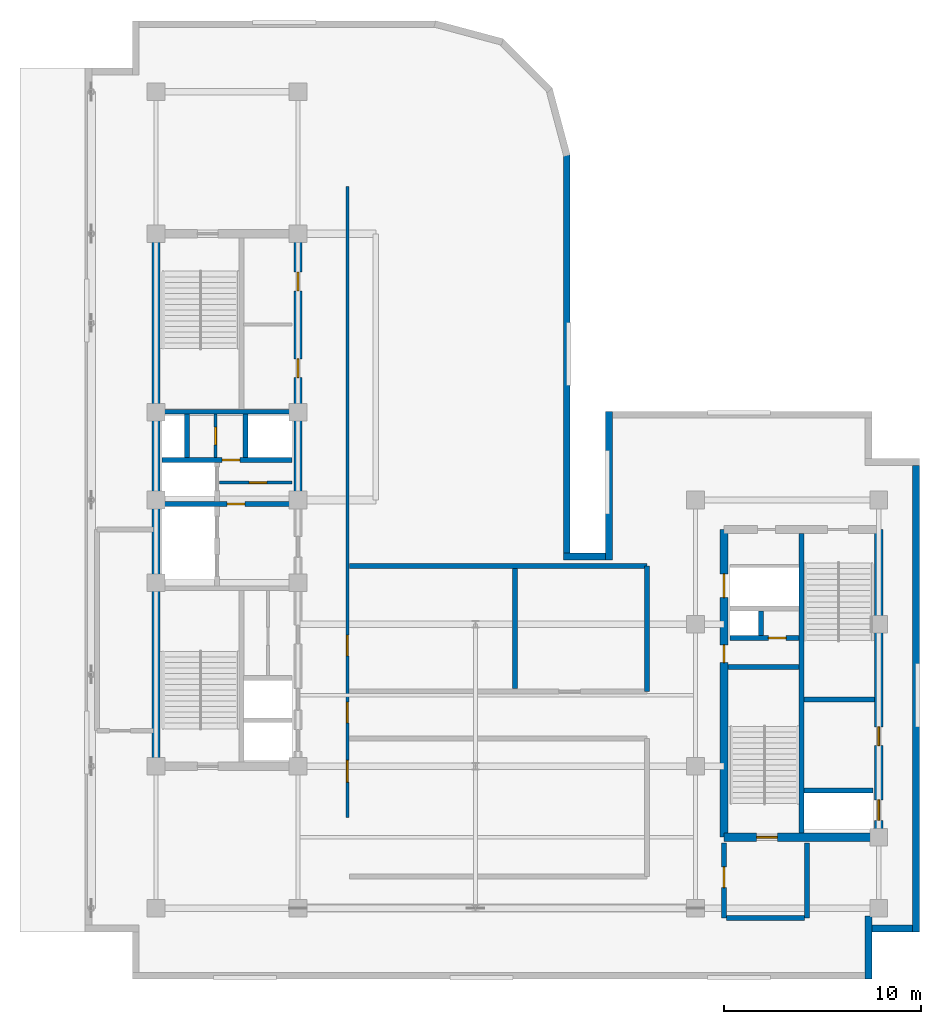
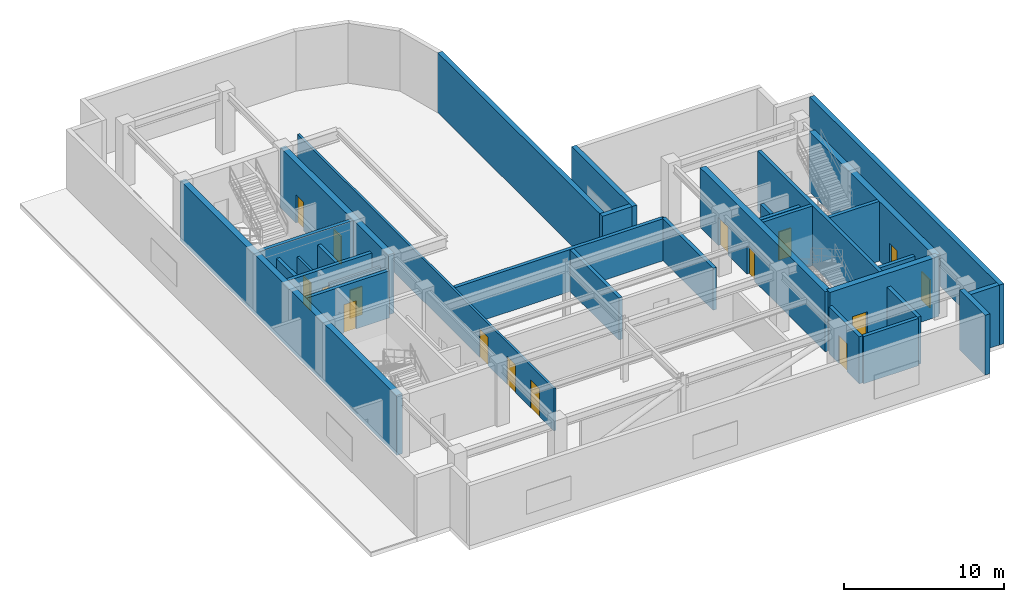
# One storey, part 7 of 13: 31 walls, 16 doors, 16 openings.
"""IFC4 building model written with IfcOpenShell, lengths in metres."""

from ifc_helpers import new_model, entity, si_unit, converted_unit, direction, frame, origin_with_axes, origin_2d_with_axis, place, context, subcontext, project, spatial, polyline, rectangle, outline, extrude, material, layer, layer_set, type_object, element, fill, save


model = new_model("IFC4")

# Units and contexts
model_context = context("Model", 3, precision=1e-05, world=origin_with_axes(), true_north=direction((0.0, 1.0)))
body_context = subcontext(model_context, "Body", "Model", "MODEL_VIEW")
ifc_project = project(units=[si_unit("LENGTHUNIT", "METRE"), si_unit("AREAUNIT", "SQUARE_METRE"), si_unit("VOLUMEUNIT", "CUBIC_METRE"), converted_unit("PLANEANGLEUNIT", "DEGREE", entity("IfcPlaneAngleMeasure", 0.017453292519943295), si_unit("PLANEANGLEUNIT", "RADIAN"), dimensions=[0, 0, 0, 0, 0, 0, 0]), si_unit("MASSUNIT", "GRAM", prefix="KILO"), si_unit("THERMODYNAMICTEMPERATUREUNIT", "KELVIN")], contexts=[model_context])

# Site, building, storey
site_placement = place(None, origin_with_axes())
site = spatial("IfcSite", under=ifc_project, at=site_placement, CompositionType="ELEMENT")
building_placement = place(site_placement, origin_with_axes())
building = spatial("IfcBuilding", under=site, at=building_placement, Name="Varnlund Millrace Tower", CompositionType="ELEMENT")
storey_placement = place(building_placement, frame((0.0, 0.0, 248.1), z_axis=(0.0, 0.0, 1.0), x_axis=(1.0, 0.0, 0.0)))
storey = spatial("IfcBuildingStorey", under=building, at=storey_placement, Name="L61", CompositionType="ELEMENT", Elevation=248.1)

# Wall
ifc_material_1 = material(Name="Concrete C60/75", Category="concrete")
ifc_layer_1 = layer(ifc_material_1, 0.42, Name="Concrete C60/75")
ifc_layer_set_1 = layer_set([ifc_layer_1], Name="Concrete C60/75")
wall_type_1 = type_object("IfcWallType", Name="Type-CoreWall-Shear-420-C60", PredefinedType="SHEAR", material=ifc_layer_set_1)
wall_1_placement = place(storey_placement, frame((11.4, 10.8, 0.0), z_axis=(0.0, 0.0, 1.0), x_axis=(0.0, 1.0, 0.0)))
element("IfcWall", 1, at=wall_1_placement, inside=storey, type_object=wall_type_1, Name="Type-CoreWall-Shear-420-C60", PredefinedType="SHEAR", context=body_context, shape_type="SweptSolid", body=[
    extrude(outline(polyline([(0.0, -0.21), (27.0, -0.21), (27.0, 0.21), (0.0, 0.21), (0.0, -0.21)])), origin_with_axes(), (0.0, 0.0, 1.0), 4.56),
])

# Wall, openings, doors
wall_2_placement = place(storey_placement, frame((18.6, 24.3, 0.0), z_axis=(0.0, 0.0, 1.0), x_axis=(0.0, 1.0, 0.0)))
wall_2 = element("IfcWall", 2, at=wall_2_placement, inside=storey, type_object=wall_type_1, Name="Type-CoreWall-Shear-420-C60", PredefinedType="SHEAR", context=body_context, shape_type="SweptSolid", body=[
    extrude(outline(polyline([(0.0, -0.21), (13.5, -0.21), (13.5, 0.21), (0.0, 0.21), (0.0, -0.21)])), origin_with_axes(), (0.0, 0.0, 1.0), 4.56),
])
opening_1_placement = place(wall_2_placement, frame((6.675, 0.0, 0.0), z_axis=(0.0, 0.0, 1.0), x_axis=(1.0, 0.0, 0.0)))
opening_1 = element("IfcOpeningElement", 3, at=opening_1_placement, cuts=wall_2, Name="Opening L61:DR-L61-PL1", PredefinedType="OPENING", context=body_context, shape_type="SweptSolid", body=[
    extrude(rectangle(XDim=0.95, YDim=0.44, at=origin_2d_with_axis()), origin_with_axes(), (0.0, 0.0, 1.0), 2.15),
])
opening_2_placement = place(wall_2_placement, frame((11.075, 0.0, 0.0), z_axis=(0.0, 0.0, 1.0), x_axis=(1.0, 0.0, 0.0)))
opening_2 = element("IfcOpeningElement", 4, at=opening_2_placement, cuts=wall_2, Name="Opening L61:DR-L61-PL2", PredefinedType="OPENING", context=body_context, shape_type="SweptSolid", body=[
    extrude(rectangle(XDim=0.95, YDim=0.44, at=origin_2d_with_axis()), origin_with_axes(), (0.0, 0.0, 1.0), 2.15),
])
ifc_material_2 = material(Name="Fire-rated hollow steel core service door", Category="steel")
door_type_1 = type_object("IfcDoorType", Name="Type-FireDoor-Service-950X2150", OperationType="NOTDEFINED", PredefinedType="DOOR", material=ifc_material_2)
door_1_placement = place(wall_2_placement, frame((6.675, 0.0, 0.0), z_axis=(0.0, 0.0, 1.0), x_axis=(1.0, 0.0, 0.0)))
door_1 = element("IfcDoor", 5, at=door_1_placement, inside=storey, type_object=door_type_1, Name="Type-FireDoor-Service-950X2150", OperationType="SINGLE_SWING_LEFT", OverallHeight=2.15, OverallWidth=0.95, PredefinedType="DOOR", context=body_context, shape_type="SweptSolid", body=[
    extrude(rectangle(XDim=0.95, YDim=0.09, at=origin_2d_with_axis()), origin_with_axes(), (0.0, 0.0, 1.0), 2.15),
])
fill(opening_1, door_1)
door_2_placement = place(wall_2_placement, frame((11.075, 0.0, 0.0), z_axis=(0.0, 0.0, 1.0), x_axis=(1.0, 0.0, 0.0)))
door_2 = element("IfcDoor", 6, at=door_2_placement, inside=storey, type_object=door_type_1, Name="Type-FireDoor-Service-950X2150", OperationType="SINGLE_SWING_RIGHT", OverallHeight=2.15, OverallWidth=0.95, PredefinedType="DOOR", context=body_context, shape_type="SweptSolid", body=[
    extrude(rectangle(XDim=0.95, YDim=0.09, at=origin_2d_with_axis()), origin_with_axes(), (0.0, 0.0, 1.0), 2.15),
])
fill(opening_2, door_2)

wall_3_placement = place(storey_placement, frame((40.2, 7.2, 0.0), z_axis=(0.0, 0.0, 1.0), x_axis=(0.0, 1.0, 0.0)))
wall_3 = element("IfcWall", 7, at=wall_3_placement, inside=storey, type_object=wall_type_1, Name="Type-CoreWall-Shear-420-C60", PredefinedType="SHEAR", context=body_context, shape_type="SweptSolid", body=[
    extrude(outline(polyline([(0.0, -0.21), (15.6, -0.21), (15.6, 0.21), (0.0, 0.21), (0.0, -0.21)])), origin_with_axes(), (0.0, 0.0, 1.0), 4.56),
])
opening_3_placement = place(wall_3_placement, frame((12.75, 0.0, 0.0), z_axis=(0.0, 0.0, 1.0), x_axis=(1.0, 0.0, 0.0)))
opening_3 = element("IfcOpeningElement", 8, at=opening_3_placement, cuts=wall_3, Name="Opening L61:LD-SRV2", PredefinedType="OPENING", context=body_context, shape_type="SweptSolid", body=[
    extrude(rectangle(XDim=1.2, YDim=0.44, at=origin_2d_with_axis()), origin_with_axes(), (0.0, 0.0, 1.0), 2.15),
])
opening_4_placement = place(wall_3_placement, frame((9.3, 0.0, 0.0), z_axis=(0.0, 0.0, 1.0), x_axis=(1.0, 0.0, 0.0)))
opening_4 = element("IfcOpeningElement", 9, at=opening_4_placement, cuts=wall_3, Name="Opening L61:DR-CB-JAN", PredefinedType="OPENING", context=body_context, shape_type="SweptSolid", body=[
    extrude(rectangle(XDim=0.9, YDim=0.44, at=origin_2d_with_axis()), origin_with_axes(), (0.0, 0.0, 1.0), 2.15),
])
ifc_material_3 = material(Name="Fire-rated hollow steel service closet door", Category="steel")
door_type_2 = type_object("IfcDoorType", Name="Type-FireDoor-Closet-900X2150", OperationType="NOTDEFINED", PredefinedType="DOOR", material=ifc_material_3)
door_3_placement = place(wall_3_placement, frame((9.3, 0.0, 0.0), z_axis=(0.0, 0.0, 1.0), x_axis=(1.0, 0.0, 0.0)))
door_3 = element("IfcDoor", 10, at=door_3_placement, inside=storey, type_object=door_type_2, Name="Type-FireDoor-Closet-900X2150", OperationType="SINGLE_SWING_RIGHT", OverallHeight=2.15, OverallWidth=0.9, PredefinedType="DOOR", context=body_context, shape_type="SweptSolid", body=[
    extrude(rectangle(XDim=0.9, YDim=0.09, at=origin_2d_with_axis()), origin_with_axes(), (0.0, 0.0, 1.0), 2.15),
])
fill(opening_4, door_3)
ifc_material_4 = material(Name="Heavy-duty freight sliding landing door")
door_type_3 = type_object("IfcDoorType", Name="Type-LiftLandingDoor-Service-1200X2150", OperationType="NOTDEFINED", PredefinedType="DOOR", material=ifc_material_4)
door_4_placement = place(wall_3_placement, frame((12.75, 0.0, 0.0), z_axis=(0.0, 0.0, 1.0), x_axis=(1.0, 0.0, 0.0)))
door_4 = element("IfcDoor", 11, at=door_4_placement, inside=storey, type_object=door_type_3, Name="Type-LiftLandingDoor-Service-1200X2150", OperationType="DOUBLE_DOOR_SLIDING", OverallHeight=2.15, OverallWidth=1.2, PredefinedType="DOOR", context=body_context, shape_type="SweptSolid", body=[
    extrude(rectangle(XDim=1.2, YDim=0.09, at=origin_2d_with_axis()), origin_with_axes(), (0.0, 0.0, 1.0), 2.15),
])
fill(opening_3, door_4)

# Wall, opening, door
wall_4_placement = place(storey_placement, frame((40.2, 7.2, 0.0), z_axis=(0.0, 0.0, 1.0), x_axis=(1.0, 0.0, 0.0)))
wall_4 = element("IfcWall", 12, at=wall_4_placement, inside=storey, type_object=wall_type_1, Name="Type-CoreWall-Shear-420-C60", PredefinedType="SHEAR", context=body_context, shape_type="SweptSolid", body=[
    extrude(outline(polyline([(0.0, -0.21), (7.85, -0.21), (7.85, 0.21), (0.0, 0.21), (0.0, -0.21)])), origin_with_axes(), (0.0, 0.0, 1.0), 4.56),
])
opening_5_placement = place(wall_4_placement, frame((2.175, 0.0, 0.0), z_axis=(0.0, 0.0, 1.0), x_axis=(1.0, 0.0, 0.0)))
opening_5 = element("IfcOpeningElement", 13, at=opening_5_placement, cuts=wall_4, Name="Opening L61:DR-STB1", PredefinedType="OPENING", context=body_context, shape_type="SweptSolid", body=[
    extrude(rectangle(XDim=1.05, YDim=0.44, at=origin_2d_with_axis()), origin_with_axes(), (0.0, 0.0, 1.0), 2.15),
])
ifc_material_5 = material(Name="Fire-rated hollow steel door", Category="steel")
door_type_4 = type_object("IfcDoorType", Name="Type-FireDoor-Stair-1050X2150", OperationType="NOTDEFINED", PredefinedType="DOOR", material=ifc_material_5)
door_5_placement = place(wall_4_placement, frame((2.175, 0.0, 0.0), z_axis=(0.0, 0.0, 1.0), x_axis=(1.0, 0.0, 0.0)))
door_5 = element("IfcDoor", 14, at=door_5_placement, inside=storey, type_object=door_type_4, Name="Type-FireDoor-Stair-1050X2150", OperationType="SINGLE_SWING_LEFT", OverallHeight=2.15, OverallWidth=1.05, PredefinedType="DOOR", context=body_context, shape_type="SweptSolid", body=[
    extrude(rectangle(XDim=1.05, YDim=0.09, at=origin_2d_with_axis()), origin_with_axes(), (0.0, 0.0, 1.0), 2.15),
])
fill(opening_5, door_5)

# Wall, openings, doors
wall_5_placement = place(storey_placement, frame((48.05, 7.2, 0.0), z_axis=(0.0, 0.0, 1.0), x_axis=(0.0, 1.0, 0.0)))
wall_5 = element("IfcWall", 15, at=wall_5_placement, inside=storey, type_object=wall_type_1, Name="Type-CoreWall-Shear-420-C60", PredefinedType="SHEAR", context=body_context, shape_type="SweptSolid", body=[
    extrude(outline(polyline([(0.0, -0.21), (15.6, -0.21), (15.6, 0.21), (0.0, 0.21), (0.0, -0.21)])), origin_with_axes(), (0.0, 0.0, 1.0), 4.56),
])
opening_6_placement = place(wall_5_placement, frame((1.375, 0.0, 0.0), z_axis=(0.0, 0.0, 1.0), x_axis=(1.0, 0.0, 0.0)))
opening_6 = element("IfcOpeningElement", 16, at=opening_6_placement, cuts=wall_5, Name="Opening L61:LD-ELV-H3", PredefinedType="OPENING", context=body_context, shape_type="SweptSolid", body=[
    extrude(rectangle(XDim=1.05, YDim=0.44, at=origin_2d_with_axis()), origin_with_axes(), (0.0, 0.0, 1.0), 2.15),
])
opening_7_placement = place(wall_5_placement, frame((5.125, 0.0, 0.0), z_axis=(0.0, 0.0, 1.0), x_axis=(1.0, 0.0, 0.0)))
opening_7 = element("IfcOpeningElement", 17, at=opening_7_placement, cuts=wall_5, Name="Opening L61:DR-CB-WC", PredefinedType="OPENING", context=body_context, shape_type="SweptSolid", body=[
    extrude(rectangle(XDim=0.95, YDim=0.44, at=origin_2d_with_axis()), origin_with_axes(), (0.0, 0.0, 1.0), 2.15),
])
door_6_placement = place(wall_5_placement, frame((5.125, 0.0, 0.0), z_axis=(0.0, 0.0, 1.0), x_axis=(1.0, 0.0, 0.0)))
door_6 = element("IfcDoor", 18, at=door_6_placement, inside=storey, type_object=door_type_1, Name="Type-FireDoor-Service-950X2150", OperationType="SINGLE_SWING_LEFT", OverallHeight=2.15, OverallWidth=0.95, PredefinedType="DOOR", context=body_context, shape_type="SweptSolid", body=[
    extrude(rectangle(XDim=0.95, YDim=0.09, at=origin_2d_with_axis()), origin_with_axes(), (0.0, 0.0, 1.0), 2.15),
])
fill(opening_7, door_6)
ifc_material_6 = material(Name="Architectural bronze sliding landing door")
door_type_5 = type_object("IfcDoorType", Name="Type-LiftLandingDoor-Compact-1050X2150", OperationType="NOTDEFINED", PredefinedType="DOOR", material=ifc_material_6)
door_7_placement = place(wall_5_placement, frame((1.375, 0.0, 0.0), z_axis=(0.0, 0.0, 1.0), x_axis=(1.0, 0.0, 0.0)))
door_7 = element("IfcDoor", 19, at=door_7_placement, inside=storey, type_object=door_type_5, Name="Type-LiftLandingDoor-Compact-1050X2150", OperationType="SLIDING_TO_LEFT", OverallHeight=2.15, OverallWidth=1.05, PredefinedType="DOOR", context=body_context, shape_type="SweptSolid", body=[
    extrude(rectangle(XDim=1.05, YDim=0.09, at=origin_2d_with_axis()), origin_with_axes(), (0.0, 0.0, 1.0), 2.15),
])
fill(opening_6, door_7)

# Walls
ifc_material_7 = material(Name="Precast concrete C50/60", Category="concrete")
ifc_layer_2 = layer(ifc_material_7, 0.34, Name="Precast concrete C50/60")
ifc_layer_set_2 = layer_set([ifc_layer_2], Name="Precast concrete C50/60")
wall_type_2 = type_object("IfcWallType", Name="Type-ExtWall-Precast-Upper-340", PredefinedType="SOLIDWALL", material=ifc_layer_set_2)
wall_6_placement = place(storey_placement, frame((34.37, 21.26, 0.0), z_axis=(0.0, 0.0, 1.0), x_axis=(0.0, 1.0, 0.0)))
element("IfcWall", 20, at=wall_6_placement, inside=storey, type_object=wall_type_2, Name="Type-ExtWall-Precast-Upper-340", PredefinedType="SOLIDWALL", context=body_context, shape_type="SweptSolid", body=[
    extrude(outline(polyline([(0.0, -0.17), (7.54, -0.17), (7.54, 0.17), (0.0, 0.17), (0.0, -0.17)])), origin_with_axes(), (0.0, 0.0, 1.0), 4.56),
])
wall_7_placement = place(storey_placement, frame((49.93, 26.06, 0.0), z_axis=(0.0, 0.0, 1.0), x_axis=(0.0, -1.0, 0.0)))
element("IfcWall", 21, at=wall_7_placement, inside=storey, type_object=wall_type_2, Name="Type-ExtWall-Precast-Upper-340", PredefinedType="SOLIDWALL", context=body_context, shape_type="SweptSolid", body=[
    extrude(outline(polyline([(0.0, -0.17), (23.66, -0.17), (23.66, 0.17), (0.0, 0.17), (0.0, -0.17)])), origin_with_axes(), (0.0, 0.0, 1.0), 4.56),
])
wall_8_placement = place(storey_placement, frame((49.76, 2.57, 0.0), z_axis=(0.0, 0.0, 1.0), x_axis=(-1.0, 0.0, 0.0)))
element("IfcWall", 22, at=wall_8_placement, inside=storey, type_object=wall_type_2, Name="Type-ExtWall-Precast-Upper-340", PredefinedType="SOLIDWALL", context=body_context, shape_type="SweptSolid", body=[
    extrude(outline(polyline([(0.0, -0.17), (2.06, -0.17), (2.06, 0.17), (0.0, 0.17), (0.0, -0.17)])), origin_with_axes(), (0.0, 0.0, 1.0), 4.56),
])
wall_9_placement = place(storey_placement, frame((47.53, 3.2, 0.0), z_axis=(0.0, 0.0, 1.0), x_axis=(0.0, -1.0, 0.0)))
element("IfcWall", 23, at=wall_9_placement, inside=storey, type_object=wall_type_2, Name="Type-ExtWall-Precast-Upper-340", PredefinedType="SOLIDWALL", context=body_context, shape_type="SweptSolid", body=[
    extrude(outline(polyline([(0.0, -0.17), (3.2, -0.17), (3.2, 0.17), (0.0, 0.17), (0.0, -0.17)])), origin_with_axes(), (0.0, 0.0, 1.0), 4.56),
])
wall_10_placement = place(storey_placement, frame((32.23, 41.82, 0.0), z_axis=(0.0, 0.0, 1.0), x_axis=(0.0, -1.0, 0.0)))
element("IfcWall", 24, at=wall_10_placement, inside=storey, type_object=wall_type_2, Name="Type-ExtWall-Precast-Upper-340", PredefinedType="SOLIDWALL", context=body_context, shape_type="SweptSolid", body=[
    extrude(outline(polyline([(0.0, -0.17), (20.22, -0.17), (20.22, 0.17), (0.0, 0.17), (0.0, -0.17)])), origin_with_axes(), (0.0, 0.0, 1.0), 4.56),
])
wall_11_placement = place(storey_placement, frame((32.06, 21.43, 0.0), z_axis=(0.0, 0.0, 1.0), x_axis=(1.0, 0.0, 0.0)))
element("IfcWall", 25, at=wall_11_placement, inside=storey, type_object=wall_type_2, Name="Type-ExtWall-Precast-Upper-340", PredefinedType="SOLIDWALL", context=body_context, shape_type="SweptSolid", body=[
    extrude(outline(polyline([(0.0, -0.17), (2.14, -0.17), (2.14, 0.17), (0.0, 0.17), (0.0, -0.17)])), origin_with_axes(), (0.0, 0.0, 1.0), 4.56),
])

# Wall, opening, door
ifc_material_8 = material(Name="Fire-rated gypsum board on cold-formed steel framing", Category="steel")
ifc_layer_3 = layer(ifc_material_8, 0.16, Name="Fire-rated gypsum board on cold-formed steel framing")
ifc_layer_set_3 = layer_set([ifc_layer_3], Name="Fire-rated gypsum board on cold-formed steel framing")
wall_type_3 = type_object("IfcWallType", Name="Type-Partition-Corridor-160", PredefinedType="PARTITIONING", material=ifc_layer_set_3)
wall_12_placement = place(storey_placement, frame((14.62, 25.18, 0.0), z_axis=(0.0, 0.0, 1.0), x_axis=(1.0, 0.0, 0.0)))
wall_12 = element("IfcWall", 26, at=wall_12_placement, inside=storey, type_object=wall_type_3, Name="Type-Partition-Corridor-160", PredefinedType="PARTITIONING", context=body_context, shape_type="SweptSolid", body=[
    extrude(outline(polyline([(0.0, -0.08), (3.68, -0.08), (3.68, 0.08), (0.0, 0.08), (0.0, -0.08)])), origin_with_axes(), (0.0, 0.0, 1.0), 3.2),
])
opening_8_placement = place(wall_12_placement, frame((1.95, 0.0, 0.0), z_axis=(0.0, 0.0, 1.0), x_axis=(1.0, 0.0, 0.0)))
opening_8 = element("IfcOpeningElement", 27, at=opening_8_placement, cuts=wall_12, Name="Opening L61:DR-CA-SUB2", PredefinedType="OPENING", context=body_context, shape_type="SweptSolid", body=[
    extrude(rectangle(XDim=0.9, YDim=0.18, at=origin_2d_with_axis()), origin_with_axes(), (0.0, 0.0, 1.0), 2.15),
])
ifc_material_9 = material(Name="Painted steel riser and closet door", Category="steel")
door_type_6 = type_object("IfcDoorType", Name="Type-IntDoor-Closet-900X2150", OperationType="NOTDEFINED", PredefinedType="DOOR", material=ifc_material_9)
door_8_placement = place(wall_12_placement, frame((1.95, 0.0, 0.0), z_axis=(0.0, 0.0, 1.0), x_axis=(1.0, 0.0, 0.0)))
door_8 = element("IfcDoor", 28, at=door_8_placement, inside=storey, type_object=door_type_6, Name="Type-IntDoor-Closet-900X2150", OperationType="SINGLE_SWING_LEFT", OverallHeight=2.15, OverallWidth=0.9, PredefinedType="DOOR", context=body_context, shape_type="SweptSolid", body=[
    extrude(rectangle(XDim=0.9, YDim=0.09, at=origin_2d_with_axis()), origin_with_axes(), (0.0, 0.0, 1.0), 2.15),
])
fill(opening_8, door_8)

wall_13_placement = place(storey_placement, frame((14.42, 26.45, 0.0), z_axis=(0.0, 0.0, 1.0), x_axis=(0.0, 1.0, 0.0)))
wall_13 = element("IfcWall", 29, at=wall_13_placement, inside=storey, type_object=wall_type_3, Name="Type-Partition-Corridor-160", PredefinedType="PARTITIONING", context=body_context, shape_type="SweptSolid", body=[
    extrude(outline(polyline([(0.0, -0.08), (2.2, -0.08), (2.2, 0.08), (0.0, 0.08), (0.0, -0.08)])), origin_with_axes(), (0.0, 0.0, 1.0), 3.2),
])
opening_9_placement = place(wall_13_placement, frame((1.1, 0.0, 0.0), z_axis=(0.0, 0.0, 1.0), x_axis=(1.0, 0.0, 0.0)))
opening_9 = element("IfcOpeningElement", 30, at=opening_9_placement, cuts=wall_13, Name="Opening L61:DR-CA-EL2", PredefinedType="OPENING", context=body_context, shape_type="SweptSolid", body=[
    extrude(rectangle(XDim=0.9, YDim=0.18, at=origin_2d_with_axis()), origin_with_axes(), (0.0, 0.0, 1.0), 2.15),
])
door_9_placement = place(wall_13_placement, frame((1.1, 0.0, 0.0), z_axis=(0.0, 0.0, 1.0), x_axis=(1.0, 0.0, 0.0)))
door_9 = element("IfcDoor", 31, at=door_9_placement, inside=storey, type_object=door_type_6, Name="Type-IntDoor-Closet-900X2150", OperationType="SINGLE_SWING_LEFT", OverallHeight=2.15, OverallWidth=0.9, PredefinedType="DOOR", context=body_context, shape_type="SweptSolid", body=[
    extrude(rectangle(XDim=0.9, YDim=0.09, at=origin_2d_with_axis()), origin_with_axes(), (0.0, 0.0, 1.0), 2.15),
])
fill(opening_9, door_9)

# Wall, openings, doors
wall_14_placement = place(storey_placement, frame((21.1, 8.2, 0.0), z_axis=(0.0, 0.0, 1.0), x_axis=(0.0, 1.0, 0.0)))
wall_14 = element("IfcWall", 32, at=wall_14_placement, inside=storey, type_object=wall_type_3, Name="Type-Partition-Corridor-160", PredefinedType="PARTITIONING", context=body_context, shape_type="SweptSolid", body=[
    extrude(outline(polyline([(0.0, -0.08), (32.0, -0.08), (32.0, 0.08), (0.0, 0.08), (0.0, -0.08)])), origin_with_axes(), (0.0, 0.0, 1.0), 3.2),
])
opening_10_placement = place(wall_14_placement, frame((8.725, 0.0, 0.0), z_axis=(0.0, 0.0, 1.0), x_axis=(1.0, 0.0, 0.0)))
opening_10 = element("IfcOpeningElement", 33, at=opening_10_placement, cuts=wall_14, Name="Opening L61:DR-REF-N", PredefinedType="OPENING", context=body_context, shape_type="SweptSolid", body=[
    extrude(rectangle(XDim=1.05, YDim=0.18, at=origin_2d_with_axis()), origin_with_axes(), (0.0, 0.0, 1.0), 2.15),
])
opening_11_placement = place(wall_14_placement, frame((5.325, 0.0, 0.0), z_axis=(0.0, 0.0, 1.0), x_axis=(1.0, 0.0, 0.0)))
opening_11 = element("IfcOpeningElement", 34, at=opening_11_placement, cuts=wall_14, Name="Opening L61:DR-PLT-XOVR", PredefinedType="OPENING", context=body_context, shape_type="SweptSolid", body=[
    extrude(rectangle(XDim=1.05, YDim=0.18, at=origin_2d_with_axis()), origin_with_axes(), (0.0, 0.0, 1.0), 2.15),
])
opening_12_placement = place(wall_14_placement, frame((2.35, 0.0, 0.0), z_axis=(0.0, 0.0, 1.0), x_axis=(1.0, 0.0, 0.0)))
opening_12 = element("IfcOpeningElement", 35, at=opening_12_placement, cuts=wall_14, Name="Opening L61:DR-PLT-HEX", PredefinedType="OPENING", context=body_context, shape_type="SweptSolid", body=[
    extrude(rectangle(XDim=1.1, YDim=0.18, at=origin_2d_with_axis()), origin_with_axes(), (0.0, 0.0, 1.0), 2.15),
])
ifc_material_10 = material(Name="Smoke-barrier hollow steel fire door", Category="steel")
door_type_7 = type_object("IfcDoorType", Name="Type-FireDoor-Lobby-1050X2150", OperationType="NOTDEFINED", PredefinedType="DOOR", material=ifc_material_10)
door_10_placement = place(wall_14_placement, frame((8.725, 0.0, 0.0), z_axis=(0.0, 0.0, 1.0), x_axis=(1.0, 0.0, 0.0)))
door_10 = element("IfcDoor", 36, at=door_10_placement, inside=storey, type_object=door_type_7, Name="Type-FireDoor-Lobby-1050X2150", OperationType="SINGLE_SWING_LEFT", OverallHeight=2.15, OverallWidth=1.05, PredefinedType="DOOR", context=body_context, shape_type="SweptSolid", body=[
    extrude(rectangle(XDim=1.05, YDim=0.09, at=origin_2d_with_axis()), origin_with_axes(), (0.0, 0.0, 1.0), 2.15),
])
fill(opening_10, door_10)
door_11_placement = place(wall_14_placement, frame((5.325, 0.0, 0.0), z_axis=(0.0, 0.0, 1.0), x_axis=(1.0, 0.0, 0.0)))
door_11 = element("IfcDoor", 37, at=door_11_placement, inside=storey, type_object=door_type_7, Name="Type-FireDoor-Lobby-1050X2150", OperationType="SINGLE_SWING_LEFT", OverallHeight=2.15, OverallWidth=1.05, PredefinedType="DOOR", context=body_context, shape_type="SweptSolid", body=[
    extrude(rectangle(XDim=1.05, YDim=0.09, at=origin_2d_with_axis()), origin_with_axes(), (0.0, 0.0, 1.0), 2.15),
])
fill(opening_11, door_11)
ifc_material_11 = material(Name="Fire-rated mechanical room steel door", Category="steel")
door_type_8 = type_object("IfcDoorType", Name="Type-FireDoor-Plant-1100X2150", OperationType="NOTDEFINED", PredefinedType="DOOR", material=ifc_material_11)
door_12_placement = place(wall_14_placement, frame((2.35, 0.0, 0.0), z_axis=(0.0, 0.0, 1.0), x_axis=(1.0, 0.0, 0.0)))
door_12 = element("IfcDoor", 38, at=door_12_placement, inside=storey, type_object=door_type_8, Name="Type-FireDoor-Plant-1100X2150", OperationType="SINGLE_SWING_RIGHT", OverallHeight=2.15, OverallWidth=1.1, PredefinedType="DOOR", context=body_context, shape_type="SweptSolid", body=[
    extrude(rectangle(XDim=1.1, YDim=0.09, at=origin_2d_with_axis()), origin_with_axes(), (0.0, 0.0, 1.0), 2.15),
])
fill(opening_12, door_12)

# Wall, opening, door
ifc_layer_4 = layer(ifc_material_1, 0.25, Name="Concrete C60/75")
ifc_layer_set_4 = layer_set([ifc_layer_4], Name="Concrete C60/75")
wall_type_4 = type_object("IfcWallType", Name="Type-ShaftWall-Fire-250", PredefinedType="SOLIDWALL", material=ifc_layer_set_4)
wall_15_placement = place(storey_placement, frame((11.7, 24.1, 0.0), z_axis=(0.0, 0.0, 1.0), x_axis=(1.0, 0.0, 0.0)))
wall_15 = element("IfcWall", 39, at=wall_15_placement, inside=storey, type_object=wall_type_4, Name="Type-ShaftWall-Fire-250", PredefinedType="SOLIDWALL", context=body_context, shape_type="SweptSolid", body=[
    extrude(outline(polyline([(0.0, -0.125), (6.6, -0.125), (6.6, 0.125), (0.0, 0.125), (0.0, -0.125)])), origin_with_axes(), (0.0, 0.0, 1.0), 3.6),
])
opening_13_placement = place(wall_15_placement, frame((3.75, 0.0, 0.0), z_axis=(0.0, 0.0, 1.0), x_axis=(1.0, 0.0, 0.0)))
opening_13 = element("IfcOpeningElement", 40, at=opening_13_placement, cuts=wall_15, Name="Opening L61:DR-CA-SUB1", PredefinedType="OPENING", context=body_context, shape_type="SweptSolid", body=[
    extrude(rectangle(XDim=0.9, YDim=0.27, at=origin_2d_with_axis()), origin_with_axes(), (0.0, 0.0, 1.0), 2.15),
])
door_13_placement = place(wall_15_placement, frame((3.75, 0.0, 0.0), z_axis=(0.0, 0.0, 1.0), x_axis=(1.0, 0.0, 0.0)))
door_13 = element("IfcDoor", 41, at=door_13_placement, inside=storey, type_object=door_type_2, Name="Type-FireDoor-Closet-900X2150", OperationType="SINGLE_SWING_LEFT", OverallHeight=2.15, OverallWidth=0.9, PredefinedType="DOOR", context=body_context, shape_type="SweptSolid", body=[
    extrude(rectangle(XDim=0.9, YDim=0.09, at=origin_2d_with_axis()), origin_with_axes(), (0.0, 0.0, 1.0), 2.15),
])
fill(opening_13, door_13)

wall_16_placement = place(storey_placement, frame((11.7, 26.325, 0.0), z_axis=(0.0, 0.0, 1.0), x_axis=(1.0, 0.0, 0.0)))
wall_16 = element("IfcWall", 42, at=wall_16_placement, inside=storey, type_object=wall_type_4, Name="Type-ShaftWall-Fire-250", PredefinedType="SOLIDWALL", context=body_context, shape_type="SweptSolid", body=[
    extrude(outline(polyline([(0.0, -0.125), (6.6, -0.125), (6.6, 0.125), (0.0, 0.125), (0.0, -0.125)])), origin_with_axes(), (0.0, 0.0, 1.0), 3.6),
])
opening_14_placement = place(wall_16_placement, frame((3.5, 0.0, 0.0), z_axis=(0.0, 0.0, 1.0), x_axis=(1.0, 0.0, 0.0)))
opening_14 = element("IfcOpeningElement", 43, at=opening_14_placement, cuts=wall_16, Name="Opening L61:DR-CA-EL1", PredefinedType="OPENING", context=body_context, shape_type="SweptSolid", body=[
    extrude(rectangle(XDim=0.9, YDim=0.27, at=origin_2d_with_axis()), origin_with_axes(), (0.0, 0.0, 1.0), 2.15),
])
door_14_placement = place(wall_16_placement, frame((3.5, 0.0, 0.0), z_axis=(0.0, 0.0, 1.0), x_axis=(1.0, 0.0, 0.0)))
door_14 = element("IfcDoor", 44, at=door_14_placement, inside=storey, type_object=door_type_2, Name="Type-FireDoor-Closet-900X2150", OperationType="SINGLE_SWING_LEFT", OverallHeight=2.15, OverallWidth=0.9, PredefinedType="DOOR", context=body_context, shape_type="SweptSolid", body=[
    extrude(rectangle(XDim=0.9, YDim=0.09, at=origin_2d_with_axis()), origin_with_axes(), (0.0, 0.0, 1.0), 2.15),
])
fill(opening_14, door_14)

# Walls
for number, where, z_axis, x_axis, name in (
    (45, (12.96, 26.45, 0.0), (0.0, 0.0, 1.0), (0.0, 1.0, 0.0), "Type-ShaftWall-Fire-250"),
    (46, (15.925, 26.45, 0.0), (0.0, 0.0, 1.0), (0.0, 1.0, 0.0), "Type-ShaftWall-Fire-250"),
):
    element("IfcWall", number, at=place(storey_placement, frame(where, z_axis=z_axis, x_axis=x_axis)), inside=storey, type_object=wall_type_4, Name=name, PredefinedType="SOLIDWALL", context=body_context, shape_type="SweptSolid", body=[
        extrude(outline(polyline([(0.0, -0.125), (2.2, -0.125), (2.2, 0.125), (0.0, 0.125), (0.0, -0.125)])), origin_with_axes(), (0.0, 0.0, 1.0), 3.6),
    ])

# Wall, opening, door
wall_17_placement = place(storey_placement, frame((40.5, 17.3, 0.0), z_axis=(0.0, 0.0, 1.0), x_axis=(1.0, 0.0, 0.0)))
wall_17 = element("IfcWall", 47, at=wall_17_placement, inside=storey, type_object=wall_type_4, Name="Type-ShaftWall-Fire-250", PredefinedType="SOLIDWALL", context=body_context, shape_type="SweptSolid", body=[
    extrude(outline(polyline([(0.0, -0.125), (3.5, -0.125), (3.5, 0.125), (0.0, 0.125), (0.0, -0.125)])), origin_with_axes(), (0.0, 0.0, 1.0), 3.6),
])
opening_15_placement = place(wall_17_placement, frame((2.4, 0.0, 0.0), z_axis=(0.0, 0.0, 1.0), x_axis=(1.0, 0.0, 0.0)))
opening_15 = element("IfcOpeningElement", 48, at=opening_15_placement, cuts=wall_17, Name="Opening L61:DR-CB-ELC", PredefinedType="OPENING", context=body_context, shape_type="SweptSolid", body=[
    extrude(rectangle(XDim=0.9, YDim=0.27, at=origin_2d_with_axis()), origin_with_axes(), (0.0, 0.0, 1.0), 2.15),
])
door_15_placement = place(wall_17_placement, frame((2.4, 0.0, 0.0), z_axis=(0.0, 0.0, 1.0), x_axis=(1.0, 0.0, 0.0)))
door_15 = element("IfcDoor", 49, at=door_15_placement, inside=storey, type_object=door_type_2, Name="Type-FireDoor-Closet-900X2150", OperationType="SINGLE_SWING_LEFT", OverallHeight=2.15, OverallWidth=0.9, PredefinedType="DOOR", context=body_context, shape_type="SweptSolid", body=[
    extrude(rectangle(XDim=0.9, YDim=0.09, at=origin_2d_with_axis()), origin_with_axes(), (0.0, 0.0, 1.0), 2.15),
])
fill(opening_15, door_15)

# Wall
wall_18_placement = place(storey_placement, frame((42.075, 17.43, 0.0), z_axis=(0.0, 0.0, 1.0), x_axis=(0.0, 1.0, 0.0)))
element("IfcWall", 50, at=wall_18_placement, inside=storey, type_object=wall_type_4, Name="Type-ShaftWall-Fire-250", PredefinedType="SOLIDWALL", context=body_context, shape_type="SweptSolid", body=[
    extrude(outline(polyline([(0.0, -0.125), (1.24, -0.125), (1.24, 0.125), (0.0, 0.125), (0.0, -0.125)])), origin_with_axes(), (0.0, 0.0, 1.0), 3.6),
])

# Wall, opening, door
wall_19_placement = place(storey_placement, frame((40.2, 3.1, 0.0), z_axis=(0.0, 0.0, 1.0), x_axis=(0.0, 1.0, 0.0)))
wall_19 = element("IfcWall", 51, at=wall_19_placement, inside=storey, type_object=wall_type_4, Name="Type-ShaftWall-Fire-250", PredefinedType="SOLIDWALL", context=body_context, shape_type="SweptSolid", body=[
    extrude(outline(polyline([(0.0, -0.125), (3.8, -0.125), (3.8, 0.125), (0.0, 0.125), (0.0, -0.125)])), origin_with_axes(), (0.0, 0.0, 1.0), 3.6),
])
opening_16_placement = place(wall_19_placement, frame((2.075, 0.0, 0.0), z_axis=(0.0, 0.0, 1.0), x_axis=(1.0, 0.0, 0.0)))
opening_16 = element("IfcOpeningElement", 52, at=opening_16_placement, cuts=wall_19, Name="Opening L61:DR-FFLOB-B", PredefinedType="OPENING", context=body_context, shape_type="SweptSolid", body=[
    extrude(rectangle(XDim=1.05, YDim=0.27, at=origin_2d_with_axis()), origin_with_axes(), (0.0, 0.0, 1.0), 2.15),
])
door_16_placement = place(wall_19_placement, frame((2.075, 0.0, 0.0), z_axis=(0.0, 0.0, 1.0), x_axis=(1.0, 0.0, 0.0)))
door_16 = element("IfcDoor", 53, at=door_16_placement, inside=storey, type_object=door_type_7, Name="Type-FireDoor-Lobby-1050X2150", OperationType="SINGLE_SWING_LEFT", OverallHeight=2.15, OverallWidth=1.05, PredefinedType="DOOR", context=body_context, shape_type="SweptSolid", body=[
    extrude(rectangle(XDim=1.05, YDim=0.09, at=origin_2d_with_axis()), origin_with_axes(), (0.0, 0.0, 1.0), 2.15),
])
fill(opening_16, door_16)

# Walls
wall_20_placement = place(storey_placement, frame((40.325, 3.1, 0.0), z_axis=(0.0, 0.0, 1.0), x_axis=(1.0, 0.0, 0.0)))
element("IfcWall", 54, at=wall_20_placement, inside=storey, type_object=wall_type_4, Name="Type-ShaftWall-Fire-250", PredefinedType="SOLIDWALL", context=body_context, shape_type="SweptSolid", body=[
    extrude(outline(polyline([(0.0, -0.125), (3.95, -0.125), (3.95, 0.125), (0.0, 0.125), (0.0, -0.125)])), origin_with_axes(), (0.0, 0.0, 1.0), 3.6),
])
wall_21_placement = place(storey_placement, frame((44.4, 3.1, 0.0), z_axis=(0.0, 0.0, 1.0), x_axis=(0.0, 1.0, 0.0)))
element("IfcWall", 55, at=wall_21_placement, inside=storey, type_object=wall_type_4, Name="Type-ShaftWall-Fire-250", PredefinedType="SOLIDWALL", context=body_context, shape_type="SweptSolid", body=[
    extrude(outline(polyline([(0.0, -0.125), (3.8, -0.125), (3.8, 0.125), (0.0, 0.125), (0.0, -0.125)])), origin_with_axes(), (0.0, 0.0, 1.0), 3.6),
])
wall_22_placement = place(storey_placement, frame((44.25, 9.56, 0.0), z_axis=(0.0, 0.0, 1.0), x_axis=(1.0, 0.0, 0.0)))
element("IfcWall", 56, at=wall_22_placement, inside=storey, type_object=wall_type_4, Name="Type-ShaftWall-Fire-250", PredefinedType="SOLIDWALL", context=body_context, shape_type="SweptSolid", body=[
    extrude(outline(polyline([(0.0, -0.125), (3.5, -0.125), (3.5, 0.125), (0.0, 0.125), (0.0, -0.125)])), origin_with_axes(), (0.0, 0.0, 1.0), 3.2),
])
wall_23_placement = place(storey_placement, frame((21.22, 20.95, 0.0), z_axis=(0.0, 0.0, 1.0), x_axis=(1.0, 0.0, 0.0)))
element("IfcWall", 57, at=wall_23_placement, inside=storey, type_object=wall_type_4, Name="Type-ShaftWall-Fire-250", PredefinedType="SOLIDWALL", context=body_context, shape_type="SweptSolid", body=[
    extrude(outline(polyline([(0.0, -0.125), (15.08, -0.125), (15.08, 0.125), (0.0, 0.125), (0.0, -0.125)])), origin_with_axes(), (0.0, 0.0, 1.0), 3.2),
])
wall_24_placement = place(storey_placement, frame((36.3, 14.6, 0.0), z_axis=(0.0, 0.0, 1.0), x_axis=(0.0, 1.0, 0.0)))
element("IfcWall", 58, at=wall_24_placement, inside=storey, type_object=wall_type_4, Name="Type-ShaftWall-Fire-250", PredefinedType="SOLIDWALL", context=body_context, shape_type="SweptSolid", body=[
    extrude(outline(polyline([(0.0, -0.125), (6.35, -0.125), (6.35, 0.125), (0.0, 0.125), (0.0, -0.125)])), origin_with_axes(), (0.0, 0.0, 1.0), 3.2),
])
wall_25_placement = place(storey_placement, frame((29.6, 14.73, 0.0), z_axis=(0.0, 0.0, 1.0), x_axis=(0.0, 1.0, 0.0)))
element("IfcWall", 59, at=wall_25_placement, inside=storey, type_object=wall_type_4, Name="Type-ShaftWall-Fire-250", PredefinedType="SOLIDWALL", context=body_context, shape_type="SweptSolid", body=[
    extrude(outline(polyline([(0.0, -0.125), (6.09, -0.125), (6.09, 0.125), (0.0, 0.125), (0.0, -0.125)])), origin_with_axes(), (0.0, 0.0, 1.0), 3.2),
])
wall_type_5 = type_object("IfcWallType", Name="Type-StairWall-Shear-250", PredefinedType="SHEAR", material=ifc_layer_set_4)
wall_26_placement = place(storey_placement, frame((11.61, 28.775, 0.0), z_axis=(0.0, 0.0, 1.0), x_axis=(1.0, 0.0, 0.0)))
element("IfcWall", 60, at=wall_26_placement, inside=storey, type_object=wall_type_5, Name="Type-StairWall-Shear-250", PredefinedType="SHEAR", context=body_context, shape_type="SweptSolid", body=[
    extrude(outline(polyline([(0.0, -0.125), (6.78, -0.125), (6.78, 0.125), (0.0, 0.125), (0.0, -0.125)])), origin_with_axes(), (0.0, 0.0, 1.0), 4.56),
])
wall_27_placement = place(storey_placement, frame((44.125, 7.41, 0.0), z_axis=(0.0, 0.0, 1.0), x_axis=(0.0, 1.0, 0.0)))
element("IfcWall", 61, at=wall_27_placement, inside=storey, type_object=wall_type_5, Name="Type-StairWall-Shear-250", PredefinedType="SHEAR", context=body_context, shape_type="SweptSolid", body=[
    extrude(outline(polyline([(0.0, -0.125), (15.18, -0.125), (15.18, 0.125), (0.0, 0.125), (0.0, -0.125)])), origin_with_axes(), (0.0, 0.0, 1.0), 4.56),
])
for number, where, z_axis, x_axis, name in (
    (62, (40.41, 15.825, 0.0), (0.0, 0.0, 1.0), (1.0, 0.0, 0.0), "Type-StairWall-Shear-250"),
    (63, (44.25, 14.175, 0.0), (0.0, 0.0, 1.0), (1.0, 0.0, 0.0), "Type-StairWall-Shear-250"),
):
    element("IfcWall", number, at=place(storey_placement, frame(where, z_axis=z_axis, x_axis=x_axis)), inside=storey, type_object=wall_type_5, Name=name, PredefinedType="SHEAR", context=body_context, shape_type="SweptSolid", body=[
        extrude(outline(polyline([(0.0, -0.125), (3.59, -0.125), (3.59, 0.125), (0.0, 0.125), (0.0, -0.125)])), origin_with_axes(), (0.0, 0.0, 1.0), 4.56),
    ])

save(model, "model.ifc")
